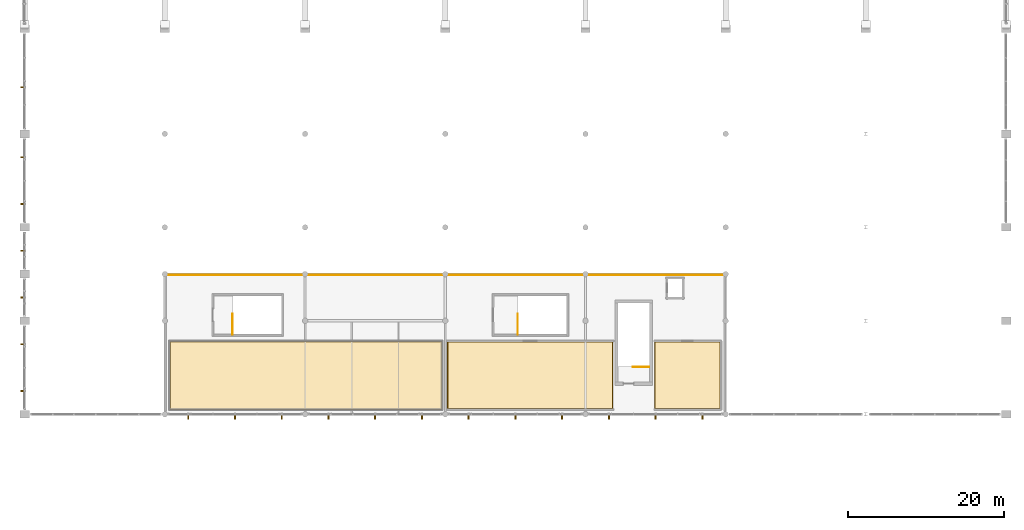
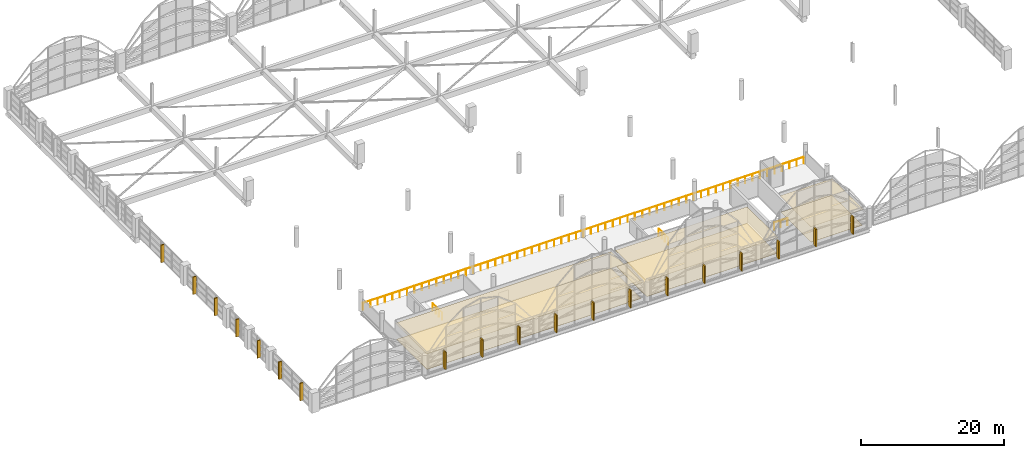
# One storey, part 108 of 116: 19 shading devices, 6 coverings, 4 railings.
"""IFC4 building model written with IfcOpenShell, lengths in metres."""

from ifc_helpers import new_model, si_unit, direction, frame, origin, origin_2d, place, context, subcontext, project, spatial, polyline, rectangle, circle, outline, extrude, material, layer, layer_set, type_object, element, save


model = new_model("IFC4")

# Units and contexts
model_context = context("Model", 3, precision=1e-05, world=origin(), true_north=direction((0.0, 1.0)))
body_context = subcontext(model_context, "Body", "Model", "MODEL_VIEW")
ifc_project = project(units=[si_unit("LENGTHUNIT", "METRE"), si_unit("AREAUNIT", "SQUARE_METRE"), si_unit("VOLUMEUNIT", "CUBIC_METRE"), si_unit("PLANEANGLEUNIT", "RADIAN"), si_unit("MASSUNIT", "GRAM", prefix="KILO")], contexts=[model_context])

# Site, building, storey
site_placement = place(None, origin())
site = spatial("IfcSite", under=ifc_project, at=site_placement, CompositionType="ELEMENT")
building_placement = place(site_placement, origin())
building = spatial("IfcBuilding", under=site, at=building_placement, Name="Chuanluo Vaults Station", CompositionType="ELEMENT")
storey_placement = place(building_placement, frame((0.0, 0.0, 10.800048828125)))
storey = spatial("IfcBuildingStorey", under=building, at=storey_placement, Name="L02", CompositionType="ELEMENT", Elevation=10.800048828125)

# Coverings
ifc_material_1 = material(Name="Acoustic mineral-fibre tile")
ifc_layer_1 = layer(ifc_material_1, 0.02490234375)
ifc_layer_set_1 = layer_set([ifc_layer_1], Name="Acoustic mineral-fibre tile")
covering_type_1 = type_object("IfcCoveringType", Name="COV-CEIL-TILE", PredefinedType="CEILING", material=ifc_layer_set_1)
covering_1_placement = place(storey_placement, frame((0.0, 0.0, 2.75)))
element("IfcCovering", 1, at=covering_1_placement, inside=storey, type_object=covering_type_1, Name="L02-01 suspended acoustic ceiling", PredefinedType="CEILING", context=body_context, shape_type="SweptSolid", body=[
    extrude(outline(polyline([(18.639892578125, 18.639892578125), (53.56005859375, 18.639892578125), (53.56005859375, 27.360107421875), (18.639892578125, 27.360107421875), (18.639892578125, 18.639892578125)])), origin(), (0.0, 0.0, 1.0), 0.02490234375),
])
covering_2_placement = place(storey_placement, frame((0.0, 0.0, 2.75)))
element("IfcCovering", 2, at=covering_2_placement, inside=storey, type_object=covering_type_1, Name="L02-02 suspended acoustic ceiling", PredefinedType="CEILING", context=body_context, shape_type="SweptSolid", body=[
    extrude(outline(polyline([(54.239990234375, 18.639892578125), (75.56005859375, 18.639892578125), (75.56005859375, 27.360107421875), (54.239990234375, 27.360107421875), (54.239990234375, 18.639892578125)])), origin(), (0.0, 0.0, 1.0), 0.02490234375),
])
covering_3_placement = place(storey_placement, frame((0.0, 0.0, 2.75)))
element("IfcCovering", 3, at=covering_3_placement, inside=storey, type_object=covering_type_1, Name="L02-02B suspended acoustic ceiling", PredefinedType="CEILING", context=body_context, shape_type="SweptSolid", body=[
    extrude(outline(polyline([(80.840087890625, 18.639892578125), (89.360107421875, 18.639892578125), (89.360107421875, 27.360107421875), (80.840087890625, 27.360107421875), (80.840087890625, 18.639892578125)])), origin(), (0.0, 0.0, 1.0), 0.02490234375),
])
ifc_material_2 = material(Name="Granite stone flooring", Category="masonry")
ifc_layer_2 = layer(ifc_material_2, 0.034912109375)
ifc_layer_set_2 = layer_set([ifc_layer_2], Name="Granite stone flooring")
covering_type_2 = type_object("IfcCoveringType", Name="COV-FLOR-GRAN", PredefinedType="FLOORING", material=ifc_layer_set_2)
covering_4_placement = place(storey_placement, origin())
element("IfcCovering", 4, at=covering_4_placement, inside=storey, type_object=covering_type_2, Name="L02-01 granite floor finish", PredefinedType="FLOORING", context=body_context, shape_type="SweptSolid", body=[
    extrude(outline(polyline([(18.75, 18.75), (53.449951171875, 18.75), (53.449951171875, 27.25), (18.75, 27.25), (18.75, 18.75)])), origin(), (0.0, 0.0, 1.0), 0.034912109375),
])
covering_5_placement = place(storey_placement, origin())
element("IfcCovering", 5, at=covering_5_placement, inside=storey, type_object=covering_type_2, Name="L02-02 granite floor finish", PredefinedType="FLOORING", context=body_context, shape_type="SweptSolid", body=[
    extrude(outline(polyline([(54.35009765625, 18.75), (75.449951171875, 18.75), (75.449951171875, 27.25), (54.35009765625, 27.25), (54.35009765625, 18.75)])), origin(), (0.0, 0.0, 1.0), 0.034912109375),
])
covering_6_placement = place(storey_placement, origin())
element("IfcCovering", 6, at=covering_6_placement, inside=storey, type_object=covering_type_2, Name="L02-02B granite floor finish", PredefinedType="FLOORING", context=body_context, shape_type="SweptSolid", body=[
    extrude(outline(polyline([(80.949951171875, 18.75), (89.25, 18.75), (89.25, 27.25), (80.949951171875, 27.25), (80.949951171875, 18.75)])), origin(), (0.0, 0.0, 1.0), 0.034912109375),
])

# Railings
ifc_material_3 = material(Name="Tempered laminated balustrade glass", Category="glass")
railing_type = type_object("IfcRailingType", Name="RLG-GUARD-1200", PredefinedType="BALUSTRADE", material=ifc_material_3)
railing_1_placement = place(storey_placement, frame((18.300048828125, 35.8798828125, 0.0)))
element("IfcRailing", 7, at=railing_1_placement, inside=storey, type_object=railing_type, Name="Mezzanine gallery overlook balustrade", PredefinedType="BALUSTRADE", context=body_context, shape_type="SweptSolid", body=[
    extrude(circle(Radius=0.02392578125, at=origin_2d()), frame((0.0, 0.0, 1.17578125), z_axis=(1.0, 0.0, 0.0), x_axis=(0.0, 1.0, 0.0)), (0.0, 0.0, 1.0), 71.39990234375),
    extrude(circle(Radius=0.02099609375, at=origin_2d()), origin(), (0.0, 0.0, 1.0), 1.15185546875),
    extrude(circle(Radius=0.02099609375, at=origin_2d()), frame((1.18994140625, 0.0, 0.0)), (0.0, 0.0, 1.0), 1.15185546875),
    extrude(circle(Radius=0.02099609375, at=origin_2d()), frame((2.3798828125, 0.0, 0.0)), (0.0, 0.0, 1.0), 1.15185546875),
    extrude(circle(Radius=0.02099609375, at=origin_2d()), frame((3.570068359375, 0.0, 0.0)), (0.0, 0.0, 1.0), 1.15185546875),
    extrude(circle(Radius=0.02099609375, at=origin_2d()), frame((4.760009765625, 0.0, 0.0)), (0.0, 0.0, 1.0), 1.15185546875),
    extrude(circle(Radius=0.02099609375, at=origin_2d()), frame((5.949951171875, 0.0, 0.0)), (0.0, 0.0, 1.0), 1.15185546875),
    extrude(circle(Radius=0.02099609375, at=origin_2d()), frame((7.139892578125, 0.0, 0.0)), (0.0, 0.0, 1.0), 1.15185546875),
    extrude(circle(Radius=0.02099609375, at=origin_2d()), frame((8.330078125, 0.0, 0.0)), (0.0, 0.0, 1.0), 1.15185546875),
    extrude(circle(Radius=0.02099609375, at=origin_2d()), frame((9.52001953125, 0.0, 0.0)), (0.0, 0.0, 1.0), 1.15185546875),
    extrude(circle(Radius=0.02099609375, at=origin_2d()), frame((10.7099609375, 0.0, 0.0)), (0.0, 0.0, 1.0), 1.15185546875),
    extrude(circle(Radius=0.02099609375, at=origin_2d()), frame((11.89990234375, 0.0, 0.0)), (0.0, 0.0, 1.0), 1.15185546875),
    extrude(circle(Radius=0.02099609375, at=origin_2d()), frame((13.090087890625, 0.0, 0.0)), (0.0, 0.0, 1.0), 1.15185546875),
    extrude(circle(Radius=0.02099609375, at=origin_2d()), frame((14.280029296875, 0.0, 0.0)), (0.0, 0.0, 1.0), 1.15185546875),
    extrude(circle(Radius=0.02099609375, at=origin_2d()), frame((15.469970703125, 0.0, 0.0)), (0.0, 0.0, 1.0), 1.15185546875),
    extrude(circle(Radius=0.02099609375, at=origin_2d()), frame((16.659912109375, 0.0, 0.0)), (0.0, 0.0, 1.0), 1.15185546875),
    extrude(circle(Radius=0.02099609375, at=origin_2d()), frame((17.85009765625, 0.0, 0.0)), (0.0, 0.0, 1.0), 1.15185546875),
    extrude(circle(Radius=0.02099609375, at=origin_2d()), frame((19.0400390625, 0.0, 0.0)), (0.0, 0.0, 1.0), 1.15185546875),
    extrude(circle(Radius=0.02099609375, at=origin_2d()), frame((20.22998046875, 0.0, 0.0)), (0.0, 0.0, 1.0), 1.15185546875),
    extrude(circle(Radius=0.02099609375, at=origin_2d()), frame((21.419921875, 0.0, 0.0)), (0.0, 0.0, 1.0), 1.15185546875),
    extrude(circle(Radius=0.02099609375, at=origin_2d()), frame((22.60986328125, 0.0, 0.0)), (0.0, 0.0, 1.0), 1.15185546875),
    extrude(circle(Radius=0.02099609375, at=origin_2d()), frame((23.800048828125, 0.0, 0.0)), (0.0, 0.0, 1.0), 1.15185546875),
    extrude(circle(Radius=0.02099609375, at=origin_2d()), frame((24.989990234375, 0.0, 0.0)), (0.0, 0.0, 1.0), 1.15185546875),
    extrude(circle(Radius=0.02099609375, at=origin_2d()), frame((26.179931640625, 0.0, 0.0)), (0.0, 0.0, 1.0), 1.15185546875),
    extrude(circle(Radius=0.02099609375, at=origin_2d()), frame((27.369873046875, 0.0, 0.0)), (0.0, 0.0, 1.0), 1.15185546875),
    extrude(circle(Radius=0.02099609375, at=origin_2d()), frame((28.56005859375, 0.0, 0.0)), (0.0, 0.0, 1.0), 1.15185546875),
    extrude(circle(Radius=0.02099609375, at=origin_2d()), frame((29.75, 0.0, 0.0)), (0.0, 0.0, 1.0), 1.15185546875),
    extrude(circle(Radius=0.02099609375, at=origin_2d()), frame((30.93994140625, 0.0, 0.0)), (0.0, 0.0, 1.0), 1.15185546875),
    extrude(circle(Radius=0.02099609375, at=origin_2d()), frame((32.1298828125, 0.0, 0.0)), (0.0, 0.0, 1.0), 1.15185546875),
    extrude(circle(Radius=0.02099609375, at=origin_2d()), frame((33.320068359375, 0.0, 0.0)), (0.0, 0.0, 1.0), 1.15185546875),
    extrude(circle(Radius=0.02099609375, at=origin_2d()), frame((34.510009765625, 0.0, 0.0)), (0.0, 0.0, 1.0), 1.15185546875),
    extrude(circle(Radius=0.02099609375, at=origin_2d()), frame((35.699951171875, 0.0, 0.0)), (0.0, 0.0, 1.0), 1.15185546875),
    extrude(circle(Radius=0.02099609375, at=origin_2d()), frame((36.889892578125, 0.0, 0.0)), (0.0, 0.0, 1.0), 1.15185546875),
    extrude(circle(Radius=0.02099609375, at=origin_2d()), frame((38.079833984375, 0.0, 0.0)), (0.0, 0.0, 1.0), 1.15185546875),
    extrude(circle(Radius=0.02099609375, at=origin_2d()), frame((39.27001953125, 0.0, 0.0)), (0.0, 0.0, 1.0), 1.15185546875),
    extrude(circle(Radius=0.02099609375, at=origin_2d()), frame((40.4599609375, 0.0, 0.0)), (0.0, 0.0, 1.0), 1.15185546875),
    extrude(circle(Radius=0.02099609375, at=origin_2d()), frame((41.64990234375, 0.0, 0.0)), (0.0, 0.0, 1.0), 1.15185546875),
    extrude(circle(Radius=0.02099609375, at=origin_2d()), frame((42.83984375, 0.0, 0.0)), (0.0, 0.0, 1.0), 1.15185546875),
    extrude(circle(Radius=0.02099609375, at=origin_2d()), frame((44.030029296875, 0.0, 0.0)), (0.0, 0.0, 1.0), 1.15185546875),
    extrude(circle(Radius=0.02099609375, at=origin_2d()), frame((45.219970703125, 0.0, 0.0)), (0.0, 0.0, 1.0), 1.15185546875),
    extrude(circle(Radius=0.02099609375, at=origin_2d()), frame((46.409912109375, 0.0, 0.0)), (0.0, 0.0, 1.0), 1.15185546875),
    extrude(circle(Radius=0.02099609375, at=origin_2d()), frame((47.599853515625, 0.0, 0.0)), (0.0, 0.0, 1.0), 1.15185546875),
    extrude(circle(Radius=0.02099609375, at=origin_2d()), frame((48.7900390625, 0.0, 0.0)), (0.0, 0.0, 1.0), 1.15185546875),
    extrude(circle(Radius=0.02099609375, at=origin_2d()), frame((49.97998046875, 0.0, 0.0)), (0.0, 0.0, 1.0), 1.15185546875),
    extrude(circle(Radius=0.02099609375, at=origin_2d()), frame((51.169921875, 0.0, 0.0)), (0.0, 0.0, 1.0), 1.15185546875),
    extrude(circle(Radius=0.02099609375, at=origin_2d()), frame((52.35986328125, 0.0, 0.0)), (0.0, 0.0, 1.0), 1.15185546875),
    extrude(circle(Radius=0.02099609375, at=origin_2d()), frame((53.5498046875, 0.0, 0.0)), (0.0, 0.0, 1.0), 1.15185546875),
    extrude(circle(Radius=0.02099609375, at=origin_2d()), frame((54.739990234375, 0.0, 0.0)), (0.0, 0.0, 1.0), 1.15185546875),
    extrude(circle(Radius=0.02099609375, at=origin_2d()), frame((55.929931640625, 0.0, 0.0)), (0.0, 0.0, 1.0), 1.15185546875),
    extrude(circle(Radius=0.02099609375, at=origin_2d()), frame((57.119873046875, 0.0, 0.0)), (0.0, 0.0, 1.0), 1.15185546875),
    extrude(circle(Radius=0.02099609375, at=origin_2d()), frame((58.309814453125, 0.0, 0.0)), (0.0, 0.0, 1.0), 1.15185546875),
    extrude(circle(Radius=0.02099609375, at=origin_2d()), frame((59.5, 0.0, 0.0)), (0.0, 0.0, 1.0), 1.15185546875),
    extrude(circle(Radius=0.02099609375, at=origin_2d()), frame((60.68994140625, 0.0, 0.0)), (0.0, 0.0, 1.0), 1.15185546875),
    extrude(circle(Radius=0.02099609375, at=origin_2d()), frame((61.8798828125, 0.0, 0.0)), (0.0, 0.0, 1.0), 1.15185546875),
    extrude(circle(Radius=0.02099609375, at=origin_2d()), frame((63.06982421875, 0.0, 0.0)), (0.0, 0.0, 1.0), 1.15185546875),
    extrude(circle(Radius=0.02099609375, at=origin_2d()), frame((64.260009765625, 0.0, 0.0)), (0.0, 0.0, 1.0), 1.15185546875),
    extrude(circle(Radius=0.02099609375, at=origin_2d()), frame((65.449951171875, 0.0, 0.0)), (0.0, 0.0, 1.0), 1.15185546875),
    extrude(circle(Radius=0.02099609375, at=origin_2d()), frame((66.639892578125, 0.0, 0.0)), (0.0, 0.0, 1.0), 1.15185546875),
    extrude(circle(Radius=0.02099609375, at=origin_2d()), frame((67.829833984375, 0.0, 0.0)), (0.0, 0.0, 1.0), 1.15185546875),
    extrude(circle(Radius=0.02099609375, at=origin_2d()), frame((69.02001953125, 0.0, 0.0)), (0.0, 0.0, 1.0), 1.15185546875),
    extrude(circle(Radius=0.02099609375, at=origin_2d()), frame((70.2099609375, 0.0, 0.0)), (0.0, 0.0, 1.0), 1.15185546875),
    extrude(circle(Radius=0.02099609375, at=origin_2d()), frame((71.39990234375, 0.0, 0.0)), (0.0, 0.0, 1.0), 1.15185546875),
])
railing_2_placement = place(storey_placement, frame((80.1875, 24.074951171875, 0.0)))
element("IfcRailing", 8, at=railing_2_placement, inside=storey, type_object=railing_type, Name="L02 ST-06 top well guard 1", PredefinedType="BALUSTRADE", context=body_context, shape_type="SweptSolid", body=[
    extrude(circle(Radius=0.02392578125, at=origin_2d()), frame((0.0, 0.0, 1.17578125), z_axis=(-1.0, 0.0, 0.0), x_axis=(0.0, -1.0, 0.0)), (0.0, 0.0, 1.0), 2.125),
    extrude(circle(Radius=0.02099609375, at=origin_2d()), origin(), (0.0, 0.0, 1.0), 1.15185546875),
    extrude(circle(Radius=0.02099609375, at=origin_2d()), frame((-1.0625, 0.0, 0.0)), (0.0, 0.0, 1.0), 1.15185546875),
    extrude(circle(Radius=0.02099609375, at=origin_2d()), frame((-2.125, 0.0, 0.0)), (0.0, 0.0, 1.0), 1.15185546875),
])
for number, where, name in (
    (9, (26.699951171875, 28.25, 0.0), "L02 ST-22 top well guard 1"),
    (10, (63.300048828125, 28.25, 0.0), "L02 ST-23 top well guard 1"),
):
    element("IfcRailing", number, at=place(storey_placement, frame(where)), inside=storey, type_object=railing_type, Name=name, PredefinedType="BALUSTRADE", context=body_context, shape_type="SweptSolid", body=[
        extrude(circle(Radius=0.02392578125, at=origin_2d()), frame((0.0, 0.0, 1.17578125), z_axis=(0.0, 1.0, 0.0), x_axis=(-1.0, 0.0, 0.0)), (0.0, 0.0, 1.0), 2.625),
        extrude(circle(Radius=0.02099609375, at=origin_2d()), origin(), (0.0, 0.0, 1.0), 1.15185546875),
        extrude(circle(Radius=0.02099609375, at=origin_2d()), frame((0.0, 0.875, 0.0)), (0.0, 0.0, 1.0), 1.15185546875),
        extrude(circle(Radius=0.02099609375, at=origin_2d()), frame((0.0, 1.75, 0.0)), (0.0, 0.0, 1.0), 1.15185546875),
        extrude(circle(Radius=0.02099609375, at=origin_2d()), frame((0.0, 2.625, 0.0)), (0.0, 0.0, 1.0), 1.15185546875),
    ])

# Shading devices
ifc_material_4 = material(Name="Concrete C50", Category="concrete")
shading_device_type_1 = type_object("IfcShadingDeviceType", Name="SHD-CONC-FIN", PredefinedType="JALOUSIE", material=ifc_material_4)
for number, where, z_axis, x_axis, name in (
    (11, (21.0, 17.699951171875, 0.050048828125), (0.0, 0.0, 1.0), (1.0, 0.0, 0.0), "South concourse brise-soleil fin 01"),
    (12, (27.0, 17.699951171875, 0.050048828125), (0.0, 0.0, 1.0), (1.0, 0.0, 0.0), "South concourse brise-soleil fin 02"),
    (13, (33.0, 17.699951171875, 0.050048828125), (0.0, 0.0, 1.0), (1.0, 0.0, 0.0), "South concourse brise-soleil fin 03"),
    (14, (39.0, 17.699951171875, 0.050048828125), (0.0, 0.0, 1.0), (1.0, 0.0, 0.0), "South concourse brise-soleil fin 04"),
    (15, (45.0, 17.699951171875, 0.050048828125), (0.0, 0.0, 1.0), (1.0, 0.0, 0.0), "South concourse brise-soleil fin 05"),
    (16, (51.0, 17.699951171875, 0.050048828125), (0.0, 0.0, 1.0), (1.0, 0.0, 0.0), "South concourse brise-soleil fin 06"),
    (17, (57.0, 17.699951171875, 0.050048828125), (0.0, 0.0, 1.0), (1.0, 0.0, 0.0), "South concourse brise-soleil fin 07"),
    (18, (63.0, 17.699951171875, 0.050048828125), (0.0, 0.0, 1.0), (1.0, 0.0, 0.0), "South concourse brise-soleil fin 08"),
    (19, (69.0, 17.699951171875, 0.050048828125), (0.0, 0.0, 1.0), (1.0, 0.0, 0.0), "South concourse brise-soleil fin 09"),
    (20, (75.0, 17.699951171875, 0.050048828125), (0.0, 0.0, 1.0), (1.0, 0.0, 0.0), "South concourse brise-soleil fin 10"),
    (21, (81.0, 17.699951171875, 0.050048828125), (0.0, 0.0, 1.0), (1.0, 0.0, 0.0), "South concourse brise-soleil fin 11"),
    (22, (87.0, 17.699951171875, 0.050048828125), (0.0, 0.0, 1.0), (1.0, 0.0, 0.0), "South concourse brise-soleil fin 12"),
):
    element("IfcShadingDevice", number, at=place(storey_placement, frame(where, z_axis=z_axis, x_axis=x_axis)), inside=storey, type_object=shading_device_type_1, Name=name, PredefinedType="JALOUSIE", context=body_context, shape_type="SweptSolid", body=[
        extrude(rectangle(XDim=0.179931640625, YDim=0.64990234375, at=origin_2d()), origin(), (0.0, 0.0, 1.0), 3.0),
    ])
ifc_material_5 = material(Name="Concrete C50", Category="concrete")
shading_device_type_2 = type_object("IfcShadingDeviceType", Name="SHD-WEST-FIN", PredefinedType="AWNING", material=ifc_material_5)
for number, where, z_axis, x_axis, name in (
    (23, (-0.239990234375, 21.0, 0.050048828125), (0.0, 0.0, 1.0), (1.0, 0.0, 0.0), "West train-shed solar fin 13"),
    (24, (-0.239990234375, 27.0, 0.050048828125), (0.0, 0.0, 1.0), (1.0, 0.0, 0.0), "West train-shed solar fin 14"),
    (25, (-0.239990234375, 33.0, 0.050048828125), (0.0, 0.0, 1.0), (1.0, 0.0, 0.0), "West train-shed solar fin 15"),
    (26, (-0.239990234375, 39.0, 0.050048828125), (0.0, 0.0, 1.0), (1.0, 0.0, 0.0), "West train-shed solar fin 16"),
    (27, (-0.239990234375, 45.0, 0.050048828125), (0.0, 0.0, 1.0), (1.0, 0.0, 0.0), "West train-shed solar fin 17"),
    (28, (-0.239990234375, 51.0, 0.050048828125), (0.0, 0.0, 1.0), (1.0, 0.0, 0.0), "West train-shed solar fin 18"),
    (29, (-0.239990234375, 60.0, 0.050048828125), (0.0, 0.0, 1.0), (1.0, 0.0, 0.0), "West train-shed solar fin 19"),
):
    element("IfcShadingDevice", number, at=place(storey_placement, frame(where, z_axis=z_axis, x_axis=x_axis)), inside=storey, type_object=shading_device_type_2, Name=name, PredefinedType="AWNING", context=body_context, shape_type="SweptSolid", body=[
        extrude(rectangle(XDim=0.550048828125, YDim=0.159912109375, at=origin_2d()), origin(), (0.0, 0.0, 1.0), 3.0),
    ])

save(model, "model.ifc")
